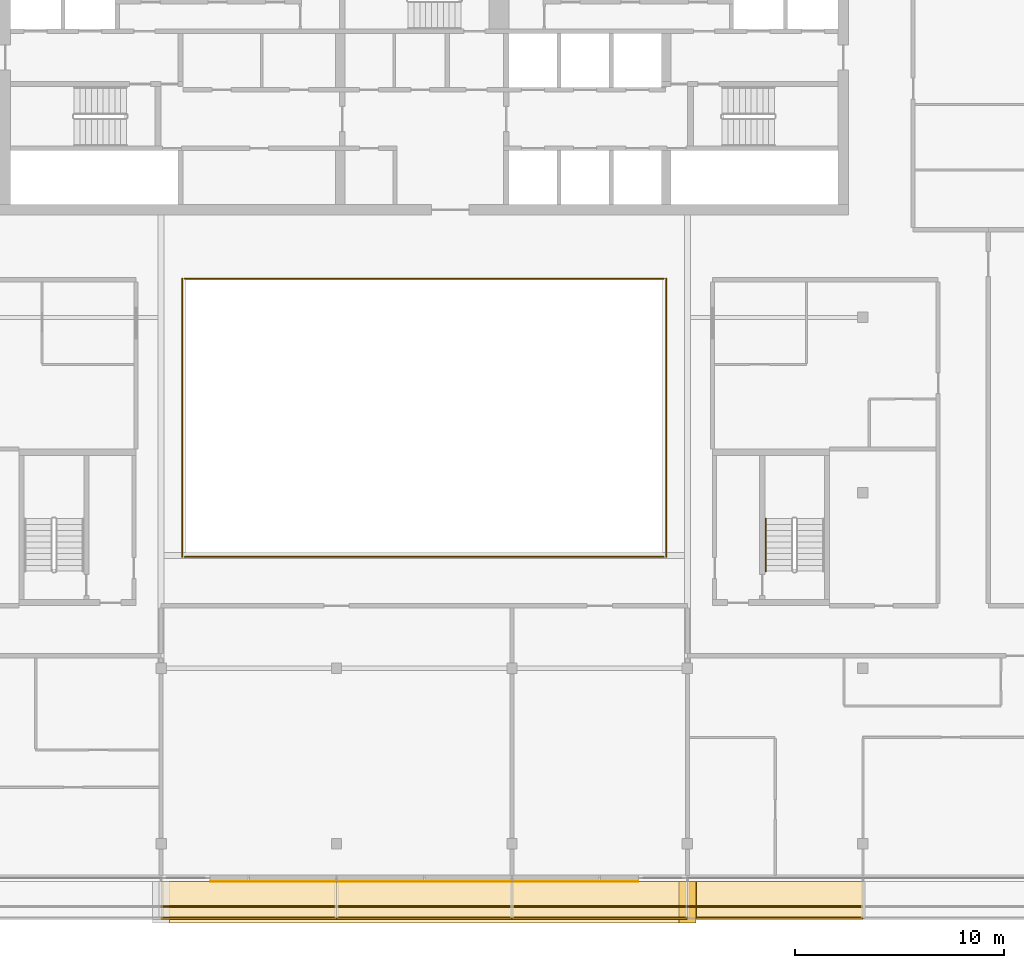
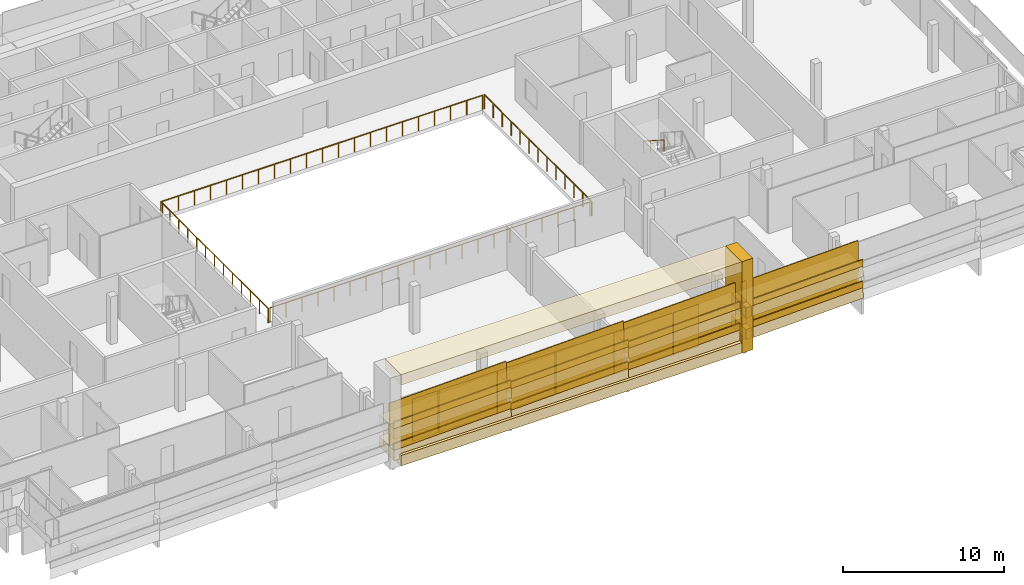
# One storey, part 26 of 33: 27 coverings, 15 railings.
"""IFC4 building model written with IfcOpenShell, lengths in metres."""

from ifc_helpers import new_model, si_unit, direction, frame, origin, origin_2d, place, context, subcontext, project, spatial, polyline, rectangle, circle, outline, extrude, material, layer, layer_set, type_object, element, save


model = new_model("IFC4")

# Units and contexts
model_context = context("Model", 3, precision=1e-05, world=origin(), true_north=direction((0.0, 1.0)))
body_context = subcontext(model_context, "Body", "Model", "MODEL_VIEW")
ifc_project = project(units=[si_unit("LENGTHUNIT", "METRE"), si_unit("AREAUNIT", "SQUARE_METRE"), si_unit("VOLUMEUNIT", "CUBIC_METRE"), si_unit("PLANEANGLEUNIT", "RADIAN"), si_unit("MASSUNIT", "GRAM", prefix="KILO")], contexts=[model_context])

# Site, building, storey
site_placement = place(None, origin())
site = spatial("IfcSite", under=ifc_project, at=site_placement, CompositionType="ELEMENT")
building_placement = place(site_placement, origin())
building = spatial("IfcBuilding", under=site, at=building_placement, Name="Saffron Gate Tower", CompositionType="ELEMENT")
storey_placement = place(building_placement, frame((0.0, 0.0, 263.550048828125)))
storey = spatial("IfcBuildingStorey", under=building, at=storey_placement, Name="L63", CompositionType="ELEMENT", Elevation=263.550048828125)

# Railings
ifc_material_1 = material(Name="Stainless steel and laminated glass", Category="steel")
railing_type_1 = type_object("IfcRailingType", Name="AG1 Atrium edge guard 1100", PredefinedType="GUARDRAIL", material=ifc_material_1)
railing_1_placement = place(storey_placement, frame((76.02001953125, 45.5400390625, 0.0)))
element("IfcRailing", 1, at=railing_1_placement, inside=storey, type_object=railing_type_1, Name="Guard E1-1", PredefinedType="GUARDRAIL", context=body_context, shape_type="SweptSolid", body=[
    extrude(circle(Radius=0.02392578125, at=origin_2d()), frame((0.0, 0.0, 1.076171875), z_axis=(0.0, 1.0, 0.0), x_axis=(-1.0, 0.0, 0.0)), (0.0, 0.0, 1.0), 13.320068359375),
    extrude(circle(Radius=0.02099609375, at=origin_2d()), origin(), (0.0, 0.0, 1.0), 1.052001953125),
    extrude(circle(Radius=0.02099609375, at=origin_2d()), frame((0.0, 1.110107421875, 0.0)), (0.0, 0.0, 1.0), 1.052001953125),
    extrude(circle(Radius=0.02099609375, at=origin_2d()), frame((0.0, 2.219970703125, 0.0)), (0.0, 0.0, 1.0), 1.052001953125),
    extrude(circle(Radius=0.02099609375, at=origin_2d()), frame((0.0, 3.330078125, 0.0)), (0.0, 0.0, 1.0), 1.052001953125),
    extrude(circle(Radius=0.02099609375, at=origin_2d()), frame((0.0, 4.43994140625, 0.0)), (0.0, 0.0, 1.0), 1.052001953125),
    extrude(circle(Radius=0.02099609375, at=origin_2d()), frame((0.0, 5.550048828125, 0.0)), (0.0, 0.0, 1.0), 1.052001953125),
    extrude(circle(Radius=0.02099609375, at=origin_2d()), frame((0.0, 6.66015625, 0.0)), (0.0, 0.0, 1.0), 1.052001953125),
    extrude(circle(Radius=0.02099609375, at=origin_2d()), frame((0.0, 7.77001953125, 0.0)), (0.0, 0.0, 1.0), 1.052001953125),
    extrude(circle(Radius=0.02099609375, at=origin_2d()), frame((0.0, 8.880126953125, 0.0)), (0.0, 0.0, 1.0), 1.052001953125),
    extrude(circle(Radius=0.02099609375, at=origin_2d()), frame((0.0, 9.989990234375, 0.0)), (0.0, 0.0, 1.0), 1.052001953125),
    extrude(circle(Radius=0.02099609375, at=origin_2d()), frame((0.0, 11.10009765625, 0.0)), (0.0, 0.0, 1.0), 1.052001953125),
    extrude(circle(Radius=0.02099609375, at=origin_2d()), frame((0.0, 12.2099609375, 0.0)), (0.0, 0.0, 1.0), 1.052001953125),
    extrude(circle(Radius=0.02099609375, at=origin_2d()), frame((0.0, 13.320068359375, 0.0)), (0.0, 0.0, 1.0), 1.052001953125),
])
railing_2_placement = place(storey_placement, frame((76.139892578125, 58.860107421875, 0.0)))
element("IfcRailing", 2, at=railing_2_placement, inside=storey, type_object=railing_type_1, Name="Guard E1-2", PredefinedType="GUARDRAIL", context=body_context, shape_type="SweptSolid", body=[
    extrude(circle(Radius=0.02392578125, at=origin_2d()), frame((0.0, 0.0, 1.076171875), z_axis=(1.0, 0.0, 0.0), x_axis=(0.0, 1.0, 0.0)), (0.0, 0.0, 1.0), 22.920166015625),
    extrude(circle(Radius=0.02099609375, at=origin_2d()), origin(), (0.0, 0.0, 1.0), 1.052001953125),
    extrude(circle(Radius=0.02099609375, at=origin_2d()), frame((1.14599609375, 0.0, 0.0)), (0.0, 0.0, 1.0), 1.052001953125),
    extrude(circle(Radius=0.02099609375, at=origin_2d()), frame((2.2919921875, 0.0, 0.0)), (0.0, 0.0, 1.0), 1.052001953125),
    extrude(circle(Radius=0.02099609375, at=origin_2d()), frame((3.43798828125, 0.0, 0.0)), (0.0, 0.0, 1.0), 1.052001953125),
    extrude(circle(Radius=0.02099609375, at=origin_2d()), frame((4.583984375, 0.0, 0.0)), (0.0, 0.0, 1.0), 1.052001953125),
    extrude(circle(Radius=0.02099609375, at=origin_2d()), frame((5.72998046875, 0.0, 0.0)), (0.0, 0.0, 1.0), 1.052001953125),
    extrude(circle(Radius=0.02099609375, at=origin_2d()), frame((6.8759765625, 0.0, 0.0)), (0.0, 0.0, 1.0), 1.052001953125),
    extrude(circle(Radius=0.02099609375, at=origin_2d()), frame((8.02197265625, 0.0, 0.0)), (0.0, 0.0, 1.0), 1.052001953125),
    extrude(circle(Radius=0.02099609375, at=origin_2d()), frame((9.16796875, 0.0, 0.0)), (0.0, 0.0, 1.0), 1.052001953125),
    extrude(circle(Radius=0.02099609375, at=origin_2d()), frame((10.31396484375, 0.0, 0.0)), (0.0, 0.0, 1.0), 1.052001953125),
    extrude(circle(Radius=0.02099609375, at=origin_2d()), frame((11.4599609375, 0.0, 0.0)), (0.0, 0.0, 1.0), 1.052001953125),
    extrude(circle(Radius=0.02099609375, at=origin_2d()), frame((12.606201171875, 0.0, 0.0)), (0.0, 0.0, 1.0), 1.052001953125),
    extrude(circle(Radius=0.02099609375, at=origin_2d()), frame((13.752197265625, 0.0, 0.0)), (0.0, 0.0, 1.0), 1.052001953125),
    extrude(circle(Radius=0.02099609375, at=origin_2d()), frame((14.898193359375, 0.0, 0.0)), (0.0, 0.0, 1.0), 1.052001953125),
    extrude(circle(Radius=0.02099609375, at=origin_2d()), frame((16.044189453125, 0.0, 0.0)), (0.0, 0.0, 1.0), 1.052001953125),
    extrude(circle(Radius=0.02099609375, at=origin_2d()), frame((17.190185546875, 0.0, 0.0)), (0.0, 0.0, 1.0), 1.052001953125),
    extrude(circle(Radius=0.02099609375, at=origin_2d()), frame((18.336181640625, 0.0, 0.0)), (0.0, 0.0, 1.0), 1.052001953125),
    extrude(circle(Radius=0.02099609375, at=origin_2d()), frame((19.482177734375, 0.0, 0.0)), (0.0, 0.0, 1.0), 1.052001953125),
    extrude(circle(Radius=0.02099609375, at=origin_2d()), frame((20.628173828125, 0.0, 0.0)), (0.0, 0.0, 1.0), 1.052001953125),
    extrude(circle(Radius=0.02099609375, at=origin_2d()), frame((21.774169921875, 0.0, 0.0)), (0.0, 0.0, 1.0), 1.052001953125),
    extrude(circle(Radius=0.02099609375, at=origin_2d()), frame((22.920166015625, 0.0, 0.0)), (0.0, 0.0, 1.0), 1.052001953125),
])
railing_3_placement = place(storey_placement, frame((99.179931640625, 58.860107421875, 0.0)))
element("IfcRailing", 3, at=railing_3_placement, inside=storey, type_object=railing_type_1, Name="Guard E1-3", PredefinedType="GUARDRAIL", context=body_context, shape_type="SweptSolid", body=[
    extrude(circle(Radius=0.02392578125, at=origin_2d()), frame((0.0, 0.0, 1.076171875), z_axis=(0.0, -1.0, 0.0), x_axis=(1.0, 0.0, 0.0)), (0.0, 0.0, 1.0), 13.320068359375),
    extrude(circle(Radius=0.02099609375, at=origin_2d()), origin(), (0.0, 0.0, 1.0), 1.052001953125),
    extrude(circle(Radius=0.02099609375, at=origin_2d()), frame((0.0, -1.110107421875, 0.0)), (0.0, 0.0, 1.0), 1.052001953125),
    extrude(circle(Radius=0.02099609375, at=origin_2d()), frame((0.0, -2.219970703125, 0.0)), (0.0, 0.0, 1.0), 1.052001953125),
    extrude(circle(Radius=0.02099609375, at=origin_2d()), frame((0.0, -3.330078125, 0.0)), (0.0, 0.0, 1.0), 1.052001953125),
    extrude(circle(Radius=0.02099609375, at=origin_2d()), frame((0.0, -4.43994140625, 0.0)), (0.0, 0.0, 1.0), 1.052001953125),
    extrude(circle(Radius=0.02099609375, at=origin_2d()), frame((0.0, -5.550048828125, 0.0)), (0.0, 0.0, 1.0), 1.052001953125),
    extrude(circle(Radius=0.02099609375, at=origin_2d()), frame((0.0, -6.66015625, 0.0)), (0.0, 0.0, 1.0), 1.052001953125),
    extrude(circle(Radius=0.02099609375, at=origin_2d()), frame((0.0, -7.77001953125, 0.0)), (0.0, 0.0, 1.0), 1.052001953125),
    extrude(circle(Radius=0.02099609375, at=origin_2d()), frame((0.0, -8.880126953125, 0.0)), (0.0, 0.0, 1.0), 1.052001953125),
    extrude(circle(Radius=0.02099609375, at=origin_2d()), frame((0.0, -9.989990234375, 0.0)), (0.0, 0.0, 1.0), 1.052001953125),
    extrude(circle(Radius=0.02099609375, at=origin_2d()), frame((0.0, -11.10009765625, 0.0)), (0.0, 0.0, 1.0), 1.052001953125),
    extrude(circle(Radius=0.02099609375, at=origin_2d()), frame((0.0, -12.2099609375, 0.0)), (0.0, 0.0, 1.0), 1.052001953125),
    extrude(circle(Radius=0.02099609375, at=origin_2d()), frame((0.0, -13.320068359375, 0.0)), (0.0, 0.0, 1.0), 1.052001953125),
])
railing_4_placement = place(storey_placement, frame((99.06005859375, 45.5400390625, 0.0)))
element("IfcRailing", 4, at=railing_4_placement, inside=storey, type_object=railing_type_1, Name="Guard E1-4", PredefinedType="GUARDRAIL", context=body_context, shape_type="SweptSolid", body=[
    extrude(circle(Radius=0.02392578125, at=origin_2d()), frame((0.0, 0.0, 1.076171875), z_axis=(-1.0, 0.0, 0.0), x_axis=(0.0, -1.0, 0.0)), (0.0, 0.0, 1.0), 22.920166015625),
    extrude(circle(Radius=0.02099609375, at=origin_2d()), origin(), (0.0, 0.0, 1.0), 1.052001953125),
    extrude(circle(Radius=0.02099609375, at=origin_2d()), frame((-1.14599609375, 0.0, 0.0)), (0.0, 0.0, 1.0), 1.052001953125),
    extrude(circle(Radius=0.02099609375, at=origin_2d()), frame((-2.2919921875, 0.0, 0.0)), (0.0, 0.0, 1.0), 1.052001953125),
    extrude(circle(Radius=0.02099609375, at=origin_2d()), frame((-3.43798828125, 0.0, 0.0)), (0.0, 0.0, 1.0), 1.052001953125),
    extrude(circle(Radius=0.02099609375, at=origin_2d()), frame((-4.583984375, 0.0, 0.0)), (0.0, 0.0, 1.0), 1.052001953125),
    extrude(circle(Radius=0.02099609375, at=origin_2d()), frame((-5.72998046875, 0.0, 0.0)), (0.0, 0.0, 1.0), 1.052001953125),
    extrude(circle(Radius=0.02099609375, at=origin_2d()), frame((-6.8759765625, 0.0, 0.0)), (0.0, 0.0, 1.0), 1.052001953125),
    extrude(circle(Radius=0.02099609375, at=origin_2d()), frame((-8.02197265625, 0.0, 0.0)), (0.0, 0.0, 1.0), 1.052001953125),
    extrude(circle(Radius=0.02099609375, at=origin_2d()), frame((-9.16796875, 0.0, 0.0)), (0.0, 0.0, 1.0), 1.052001953125),
    extrude(circle(Radius=0.02099609375, at=origin_2d()), frame((-10.31396484375, 0.0, 0.0)), (0.0, 0.0, 1.0), 1.052001953125),
    extrude(circle(Radius=0.02099609375, at=origin_2d()), frame((-11.4599609375, 0.0, 0.0)), (0.0, 0.0, 1.0), 1.052001953125),
    extrude(circle(Radius=0.02099609375, at=origin_2d()), frame((-12.606201171875, 0.0, 0.0)), (0.0, 0.0, 1.0), 1.052001953125),
    extrude(circle(Radius=0.02099609375, at=origin_2d()), frame((-13.752197265625, 0.0, 0.0)), (0.0, 0.0, 1.0), 1.052001953125),
    extrude(circle(Radius=0.02099609375, at=origin_2d()), frame((-14.898193359375, 0.0, 0.0)), (0.0, 0.0, 1.0), 1.052001953125),
    extrude(circle(Radius=0.02099609375, at=origin_2d()), frame((-16.044189453125, 0.0, 0.0)), (0.0, 0.0, 1.0), 1.052001953125),
    extrude(circle(Radius=0.02099609375, at=origin_2d()), frame((-17.190185546875, 0.0, 0.0)), (0.0, 0.0, 1.0), 1.052001953125),
    extrude(circle(Radius=0.02099609375, at=origin_2d()), frame((-18.336181640625, 0.0, 0.0)), (0.0, 0.0, 1.0), 1.052001953125),
    extrude(circle(Radius=0.02099609375, at=origin_2d()), frame((-19.482177734375, 0.0, 0.0)), (0.0, 0.0, 1.0), 1.052001953125),
    extrude(circle(Radius=0.02099609375, at=origin_2d()), frame((-20.628173828125, 0.0, 0.0)), (0.0, 0.0, 1.0), 1.052001953125),
    extrude(circle(Radius=0.02099609375, at=origin_2d()), frame((-21.774169921875, 0.0, 0.0)), (0.0, 0.0, 1.0), 1.052001953125),
    extrude(circle(Radius=0.02099609375, at=origin_2d()), frame((-22.920166015625, 0.0, 0.0)), (0.0, 0.0, 1.0), 1.052001953125),
])

# Coverings
ifc_material_2 = material(Name="Ceramic-printed bronze insulated panel")
ifc_layer_1 = layer(ifc_material_2, 0.0400390625)
ifc_layer_set_1 = layer_set([ifc_layer_1], Name="CLDA ceramic-printed bay cladding 40")
covering_type_1 = type_object("IfcCoveringType", Name="CLDA ceramic-printed bay cladding 40", PredefinedType="CLADDING", material=ifc_layer_set_1)
covering_1_placement = place(storey_placement, origin())
element("IfcCovering", 5, at=covering_1_placement, inside=storey, type_object=covering_type_1, Name="CLADDING bay panel in front of the arch", PredefinedType="CLADDING", context=body_context, shape_type="SweptSolid", body=[
    extrude(outline(polyline([(77.350830078125, 29.9599609375), (79.169921875, 29.9599609375), (79.169921875, 30.0), (77.350830078125, 30.0), (77.350830078125, 29.9599609375)])), origin(), (0.0, 0.0, 1.0), 3.199951171875),
])
covering_2_placement = place(storey_placement, origin())
element("IfcCovering", 6, at=covering_2_placement, inside=storey, type_object=covering_type_1, Name="CLADDING bay panel in front of the arch", PredefinedType="CLADDING", context=body_context, shape_type="SweptSolid", body=[
    extrude(outline(polyline([(79.22998046875, 29.9599609375), (83.3701171875, 29.9599609375), (83.3701171875, 30.0), (79.22998046875, 30.0), (79.22998046875, 29.9599609375)])), origin(), (0.0, 0.0, 1.0), 3.199951171875),
])
covering_3_placement = place(storey_placement, origin())
element("IfcCovering", 7, at=covering_3_placement, inside=storey, type_object=covering_type_1, Name="CLADDING bay panel in front of the arch", PredefinedType="CLADDING", context=body_context, shape_type="SweptSolid", body=[
    extrude(outline(polyline([(83.429931640625, 29.9599609375), (87.570068359375, 29.9599609375), (87.570068359375, 30.0), (83.429931640625, 30.0), (83.429931640625, 29.9599609375)])), origin(), (0.0, 0.0, 1.0), 3.199951171875),
])
covering_4_placement = place(storey_placement, origin())
element("IfcCovering", 8, at=covering_4_placement, inside=storey, type_object=covering_type_1, Name="CLADDING bay panel in front of the arch", PredefinedType="CLADDING", context=body_context, shape_type="SweptSolid", body=[
    extrude(outline(polyline([(87.6298828125, 29.9599609375), (91.77001953125, 29.9599609375), (91.77001953125, 30.0), (87.6298828125, 30.0), (87.6298828125, 29.9599609375)])), origin(), (0.0, 0.0, 1.0), 3.199951171875),
])
covering_5_placement = place(storey_placement, origin())
element("IfcCovering", 9, at=covering_5_placement, inside=storey, type_object=covering_type_1, Name="CLADDING bay panel in front of the arch", PredefinedType="CLADDING", context=body_context, shape_type="SweptSolid", body=[
    extrude(outline(polyline([(91.830078125, 29.9599609375), (95.969970703125, 29.9599609375), (95.969970703125, 30.0), (91.830078125, 30.0), (91.830078125, 29.9599609375)])), origin(), (0.0, 0.0, 1.0), 3.199951171875),
])
covering_6_placement = place(storey_placement, origin())
element("IfcCovering", 10, at=covering_6_placement, inside=storey, type_object=covering_type_1, Name="CLADDING bay panel in front of the arch", PredefinedType="CLADDING", context=body_context, shape_type="SweptSolid", body=[
    extrude(outline(polyline([(96.030029296875, 29.9599609375), (97.84912109375, 29.9599609375), (97.84912109375, 30.0), (96.030029296875, 30.0), (96.030029296875, 29.9599609375)])), origin(), (0.0, 0.0, 1.0), 3.199951171875),
])

# Railing
ifc_material_3 = material(Name="Stainless steel", Category="steel")
railing_type_2 = type_object("IfcRailingType", Name="CR2 Stair handrail 900", PredefinedType="HANDRAIL", material=ifc_material_3)
railing_5_placement = place(storey_placement, frame((103.949951171875, 47.3701171875, 1.97998046875)))
element("IfcRailing", 11, at=railing_5_placement, inside=storey, type_object=railing_type_2, Name="L63 ST-E stair handrail 2", PredefinedType="HANDRAIL", context=body_context, shape_type="SweptSolid", body=[
    extrude(circle(Radius=0.02392578125, at=origin_2d()), frame((0.0, 0.0, 0.8759765625), z_axis=(0.0, -0.841199657755, 0.540724639528), x_axis=(1.0, 0.0, 0.0)), (0.0, 0.0, 1.0), 2.995849609375),
    extrude(circle(Radius=0.02099609375, at=origin_2d()), origin(), (0.0, 0.0, 1.0), 0.851806640625),
    extrude(circle(Radius=0.02099609375, at=origin_2d()), frame((0.0, -0.840087890625, 0.5400390625)), (0.0, 0.0, 1.0), 0.851806640625),
    extrude(circle(Radius=0.02099609375, at=origin_2d()), frame((0.0, -1.679931640625, 1.079833984375)), (0.0, 0.0, 1.0), 0.851806640625),
    extrude(circle(Radius=0.02099609375, at=origin_2d()), frame((0.0, -2.52001953125, 1.619873046875)), (0.0, 0.0, 1.0), 0.851806640625),
])

# Coverings
ifc_layer_2 = layer(ifc_material_2, 0.800048828125)
ifc_layer_set_2 = layer_set([ifc_layer_2], Name="FN1 atrium fin")
covering_type_2 = type_object("IfcCoveringType", Name="FN1 atrium fin", PredefinedType="CLADDING", material=ifc_layer_set_2)
covering_7_placement = place(storey_placement, origin())
element("IfcCovering", 12, at=covering_7_placement, inside=storey, type_object=covering_type_2, Name="CLADDING atrium fin", PredefinedType="CLADDING", context=body_context, shape_type="SweptSolid", body=[
    extrude(outline(polyline([(99.800048828125, 30.0), (100.60009765625, 30.0), (100.60009765625, 28.0), (99.800048828125, 28.0), (99.800048828125, 30.0)])), origin(), (0.0, 0.0, 1.0), 6.919921875),
])
for number, where, name in (
    (13, (0.0, 0.0, 0.0), "CLADDING atrium lintel fin"),
    (14, (0.0, 0.0, 6.119873046875), "CLADDING atrium lintel fin"),
):
    element("IfcCovering", number, at=place(storey_placement, frame(where)), inside=storey, type_object=covering_type_2, Name=name, PredefinedType="CLADDING", context=body_context, shape_type="SweptSolid", body=[
        extrude(outline(polyline([(75.39990234375, 30.0), (99.800048828125, 30.0), (99.800048828125, 28.0), (75.39990234375, 28.0), (75.39990234375, 30.0)])), origin(), (0.0, 0.0, 1.0), 0.800048828125),
    ])
ifc_material_4 = material(Name="Timber, thermally modified ash", Category="wood")
ifc_layer_3 = layer(ifc_material_4, 0.800048828125)
ifc_layer_set_3 = layer_set([ifc_layer_3], Name="LD1 ledge timber")
covering_type_3 = type_object("IfcCoveringType", Name="LD1 ledge timber", PredefinedType="CLADDING", material=ifc_layer_set_3)
covering_8_placement = place(storey_placement, frame((75.0, 30.0, 1.197509765625), z_axis=(-0.028791175352, 0.0, 0.999585448184), x_axis=(0.999585448184, 0.0, 0.028791175352)))
element("IfcCovering", 15, at=covering_8_placement, inside=storey, type_object=covering_type_3, Name="LEDGE", PredefinedType="CLADDING", context=body_context, shape_type="SweptSolid", body=[
    extrude(outline(polyline([(0.0, 0.0), (8.403385982666892, 0.0), (8.403385982666892, -1.800048828125), (0.0, -1.800048828125), (0.0, 0.0)])), origin(), (0.0, 0.0, -1.0), 0.800048828125),
])
covering_9_placement = place(storey_placement, frame((83.39990234375, 30.0, 1.30712890625), z_axis=(-0.028790339263, 0.0, 0.999585472266), x_axis=(0.999585472266, 0.0, 0.028790339263)))
element("IfcCovering", 16, at=covering_9_placement, inside=storey, type_object=covering_type_3, Name="LEDGE", PredefinedType="CLADDING", context=body_context, shape_type="SweptSolid", body=[
    extrude(outline(polyline([(0.0, 0.0), (8.403630022085892, 0.0), (8.403630022085892, -1.800048828125), (0.0, -1.800048828125), (0.0, 0.0)])), origin(), (0.0, 0.0, -1.0), 0.800048828125),
])
covering_10_placement = place(storey_placement, frame((91.800048828125, 30.0, 1.416748046875), z_axis=(-0.028820203882, 0.0, 0.99958461165), x_axis=(0.99958461165, 0.0, 0.028820203882)))
element("IfcCovering", 17, at=covering_10_placement, inside=storey, type_object=covering_type_3, Name="LEDGE", PredefinedType="CLADDING", context=body_context, shape_type="SweptSolid", body=[
    extrude(outline(polyline([(0.0, 0.0), (8.40339301530596, 0.0), (8.40339301530596, -1.800048828125), (0.0, -1.800048828125), (0.0, 0.0)])), origin(), (0.0, 0.0, -1.0), 0.800048828125),
])
covering_11_placement = place(storey_placement, frame((100.199951171875, 30.0, 1.526611328125), z_axis=(-0.028664238881, 0.0, 0.999589096284), x_axis=(0.999589096284, 0.0, 0.028664238881)))
element("IfcCovering", 18, at=covering_11_placement, inside=storey, type_object=covering_type_3, Name="LEDGE", PredefinedType="CLADDING", context=body_context, shape_type="SweptSolid", body=[
    extrude(outline(polyline([(0.0, 0.0), (0.40031097364171886, 0.0), (0.40031097364171886, -1.8000488281250004), (0.0, -1.8000488281250004), (0.0, 0.0)])), origin(), (0.0, 0.0, -1.0), 0.800048828125),
])
covering_12_placement = place(storey_placement, frame((100.60009765625, 30.0, 1.53173828125), z_axis=(-0.028796646555, 0.0, 0.999585290582), x_axis=(0.999585290582, 0.0, 0.028796646555)))
element("IfcCovering", 19, at=covering_12_placement, inside=storey, type_object=covering_type_3, Name="LEDGE", PredefinedType="CLADDING", context=body_context, shape_type="SweptSolid", body=[
    extrude(outline(polyline([(0.0, 0.0), (8.003319051788862, 0.0), (8.003319051788862, -1.800048828125), (0.0, -1.800048828125), (0.0, 0.0)])), origin(), (0.0, 0.0, -1.0), 0.800048828125),
])
covering_13_placement = place(storey_placement, frame((75.0, 30.0, 2.82666015625), z_axis=(-0.028791175352, 0.0, 0.999585448184), x_axis=(0.999585448184, 0.0, 0.028791175352)))
element("IfcCovering", 20, at=covering_13_placement, inside=storey, type_object=covering_type_3, Name="LEDGE", PredefinedType="CLADDING", context=body_context, shape_type="SweptSolid", body=[
    extrude(outline(polyline([(0.0, 0.0), (8.403385982666892, 0.0), (8.403385982666892, -1.800048828125), (0.0, -1.800048828125), (0.0, 0.0)])), origin(), (0.0, 0.0, -1.0), 0.800048828125),
])
covering_14_placement = place(storey_placement, frame((83.39990234375, 30.0, 2.936279296875), z_axis=(-0.028790339263, 0.0, 0.999585472266), x_axis=(0.999585472266, 0.0, 0.028790339263)))
element("IfcCovering", 21, at=covering_14_placement, inside=storey, type_object=covering_type_3, Name="LEDGE", PredefinedType="CLADDING", context=body_context, shape_type="SweptSolid", body=[
    extrude(outline(polyline([(0.0, 0.0), (8.403630022085892, 0.0), (8.403630022085892, -1.800048828125), (0.0, -1.800048828125), (0.0, 0.0)])), origin(), (0.0, 0.0, -1.0), 0.800048828125),
])
covering_15_placement = place(storey_placement, frame((91.800048828125, 30.0, 3.0458984375), z_axis=(-0.028791175352, 0.0, 0.999585448184), x_axis=(0.999585448184, 0.0, 0.028791175352)))
element("IfcCovering", 22, at=covering_15_placement, inside=storey, type_object=covering_type_3, Name="LEDGE", PredefinedType="CLADDING", context=body_context, shape_type="SweptSolid", body=[
    extrude(outline(polyline([(0.0, 0.0), (8.403385982666892, 0.0), (8.403385982666892, -1.800048828125), (0.0, -1.800048828125), (0.0, 0.0)])), origin(), (0.0, 0.0, -1.0), 0.800048828125),
])
covering_16_placement = place(storey_placement, frame((100.199951171875, 30.0, 3.155517578125), z_axis=(-0.028664238881, 0.0, 0.999589096284), x_axis=(0.999589096284, 0.0, 0.028664238881)))
element("IfcCovering", 23, at=covering_16_placement, inside=storey, type_object=covering_type_3, Name="LEDGE", PredefinedType="CLADDING", context=body_context, shape_type="SweptSolid", body=[
    extrude(outline(polyline([(0.0, 0.0), (0.40031097364171886, 0.0), (0.40031097364171886, -1.8000488281250004), (0.0, -1.8000488281250004), (0.0, 0.0)])), origin(), (0.0, 0.0, -1.0), 0.800048828125),
])
covering_17_placement = place(storey_placement, frame((100.60009765625, 30.0, 3.16064453125), z_axis=(-0.028796646555, 0.0, 0.999585290582), x_axis=(0.999585290582, 0.0, 0.028796646555)))
element("IfcCovering", 24, at=covering_17_placement, inside=storey, type_object=covering_type_3, Name="LEDGE", PredefinedType="CLADDING", context=body_context, shape_type="SweptSolid", body=[
    extrude(outline(polyline([(0.0, 0.0), (8.003319051788862, 0.0), (8.003319051788862, -1.800048828125), (0.0, -1.800048828125), (0.0, 0.0)])), origin(), (0.0, 0.0, -1.0), 0.800048828125),
])
ifc_layer_4 = layer(ifc_material_4, 0.080078125)
ifc_layer_set_4 = layer_set([ifc_layer_4], Name="LD2 ledge planter trough")
covering_type_4 = type_object("IfcCoveringType", Name="LD2 ledge planter trough", PredefinedType="CLADDING", material=ifc_layer_set_4)
covering_18_placement = place(storey_placement, frame((75.0, 28.199951171875, 1.197509765625), z_axis=(0.0, -1.0, 0.0), x_axis=(0.999585448184, 0.0, 0.028791175352)))
element("IfcCovering", 25, at=covering_18_placement, inside=storey, type_object=covering_type_4, Name="LEDGE planter trough", PredefinedType="CLADDING", context=body_context, shape_type="SweptSolid", body=[
    extrude(outline(polyline([(0.0, 0.0), (8.403385982666892, 0.0), (8.417781570342743, 0.49979272409216496), (0.014395587675851172, 0.4997927240921649), (0.0, 0.0)])), origin(), (0.0, 0.0, -1.0), 0.080078125),
])
covering_19_placement = place(storey_placement, frame((83.39990234375, 28.199951171875, 1.30712890625), z_axis=(0.0, -1.0, 0.0), x_axis=(0.999585472266, 0.0, 0.028790339263)))
element("IfcCovering", 26, at=covering_19_placement, inside=storey, type_object=covering_type_4, Name="LEDGE planter trough", PredefinedType="CLADDING", context=body_context, shape_type="SweptSolid", body=[
    extrude(outline(polyline([(0.0, 0.0), (8.403630022085892, 0.0), (8.418025191717298, 0.4997927361329725), (0.014395169631405694, 0.4997927361329725), (0.0, 0.0)])), origin(), (0.0, 0.0, -1.0), 0.080078125),
])
covering_20_placement = place(storey_placement, frame((91.800048828125, 28.199951171875, 1.416748046875), z_axis=(0.0, -1.0, 0.0), x_axis=(0.99958461165, 0.0, 0.028820203882)))
element("IfcCovering", 27, at=covering_20_placement, inside=storey, type_object=covering_type_4, Name="LEDGE planter trough", PredefinedType="CLADDING", context=body_context, shape_type="SweptSolid", body=[
    extrude(outline(polyline([(0.0, 0.0), (8.40339301530596, 0.0), (8.41780311724686, 0.49979230582518264), (0.014410101940899296, 0.49979230582518264), (0.0, 0.0)])), origin(), (0.0, 0.0, -1.0), 0.080078125),
])
covering_21_placement = place(storey_placement, frame((100.60009765625, 28.199951171875, 1.53173828125), z_axis=(0.0, -1.0, 0.0), x_axis=(0.999585290582, 0.0, 0.028796646555)))
element("IfcCovering", 28, at=covering_21_placement, inside=storey, type_object=covering_type_4, Name="LEDGE planter trough", PredefinedType="CLADDING", context=body_context, shape_type="SweptSolid", body=[
    extrude(outline(polyline([(0.0, 0.0), (8.003319051788862, 0.0), (8.017717375066283, 0.4997926452908234), (0.014398323277421184, 0.49979264529082346), (0.0, 0.0)])), origin(), (0.0, 0.0, -1.0), 0.080078125),
])
covering_22_placement = place(storey_placement, frame((75.0, 28.199951171875, 2.82666015625), z_axis=(0.0, -1.0, 0.0), x_axis=(0.999585448184, 0.0, 0.028791175352)))
element("IfcCovering", 29, at=covering_22_placement, inside=storey, type_object=covering_type_4, Name="LEDGE planter trough", PredefinedType="CLADDING", context=body_context, shape_type="SweptSolid", body=[
    extrude(outline(polyline([(0.0, 0.0), (8.403385982666892, 0.0), (8.417781570342743, 0.49979272409216496), (0.014395587675851172, 0.4997927240921649), (0.0, 0.0)])), origin(), (0.0, 0.0, -1.0), 0.080078125),
])
covering_23_placement = place(storey_placement, frame((83.39990234375, 28.199951171875, 2.936279296875), z_axis=(0.0, -1.0, 0.0), x_axis=(0.999585472266, 0.0, 0.028790339263)))
element("IfcCovering", 30, at=covering_23_placement, inside=storey, type_object=covering_type_4, Name="LEDGE planter trough", PredefinedType="CLADDING", context=body_context, shape_type="SweptSolid", body=[
    extrude(outline(polyline([(0.0, 0.0), (8.403630022085892, 0.0), (8.418025191717298, 0.4997927361329725), (0.014395169631405694, 0.4997927361329725), (0.0, 0.0)])), origin(), (0.0, 0.0, -1.0), 0.080078125),
])
covering_24_placement = place(storey_placement, frame((91.800048828125, 28.199951171875, 3.0458984375), z_axis=(0.0, -1.0, 0.0), x_axis=(0.999585448184, 0.0, 0.028791175352)))
element("IfcCovering", 31, at=covering_24_placement, inside=storey, type_object=covering_type_4, Name="LEDGE planter trough", PredefinedType="CLADDING", context=body_context, shape_type="SweptSolid", body=[
    extrude(outline(polyline([(0.0, 0.0), (8.403385982666892, 0.0), (8.417781570342743, 0.49979272409216496), (0.014395587675851172, 0.4997927240921649), (0.0, 0.0)])), origin(), (0.0, 0.0, -1.0), 0.080078125),
])
covering_25_placement = place(storey_placement, frame((100.60009765625, 28.199951171875, 3.16064453125), z_axis=(0.0, -1.0, 0.0), x_axis=(0.999585290582, 0.0, 0.028796646555)))
element("IfcCovering", 32, at=covering_25_placement, inside=storey, type_object=covering_type_4, Name="LEDGE planter trough", PredefinedType="CLADDING", context=body_context, shape_type="SweptSolid", body=[
    extrude(outline(polyline([(0.0, 0.0), (8.003319051788862, 0.0), (8.017717375066283, 0.4997926452908234), (0.014398323277421184, 0.49979264529082346), (0.0, 0.0)])), origin(), (0.0, 0.0, -1.0), 0.080078125),
])

# Railings
railing_type_3 = type_object("IfcRailingType", Name="LG1 ledge balustrade", PredefinedType="BALUSTRADE", material=ifc_material_4)
railing_6_placement = place(storey_placement, frame((75.0, 28.800048828125, 1.197509765625)))
element("IfcRailing", 33, at=railing_6_placement, inside=storey, type_object=railing_type_3, Name="LEDGE BALUSTRADE", PredefinedType="BALUSTRADE", context=body_context, shape_type="SweptSolid", body=[
    extrude(rectangle(XDim=0.06005859375, YDim=1.60009765625, at=origin_2d()), frame((0.0, 0.0, 0.800048828125), z_axis=(0.999585448184, 0.0, 0.028791175352), x_axis=(0.0, 1.0, 0.0)), (0.0, 0.0, 1.0), 8.4033203125),
])
railing_7_placement = place(storey_placement, frame((83.39990234375, 28.800048828125, 1.30712890625)))
element("IfcRailing", 34, at=railing_7_placement, inside=storey, type_object=railing_type_3, Name="LEDGE BALUSTRADE", PredefinedType="BALUSTRADE", context=body_context, shape_type="SweptSolid", body=[
    extrude(rectangle(XDim=0.06005859375, YDim=1.60009765625, at=origin_2d()), frame((0.0, 0.0, 0.800048828125), z_axis=(0.999585472266, 0.0, 0.028790339263), x_axis=(0.0, 1.0, 0.0)), (0.0, 0.0, 1.0), 8.403564453125),
])
railing_8_placement = place(storey_placement, frame((91.800048828125, 28.800048828125, 1.416748046875)))
element("IfcRailing", 35, at=railing_8_placement, inside=storey, type_object=railing_type_3, Name="LEDGE BALUSTRADE", PredefinedType="BALUSTRADE", context=body_context, shape_type="SweptSolid", body=[
    extrude(rectangle(XDim=0.06005859375, YDim=1.60009765625, at=origin_2d()), frame((0.0, 0.0, 0.800048828125), z_axis=(0.99958461165, 0.0, 0.028820203882), x_axis=(0.0, 1.0, 0.0)), (0.0, 0.0, 1.0), 8.4033203125),
])
railing_9_placement = place(storey_placement, frame((100.199951171875, 28.800048828125, 1.526611328125)))
element("IfcRailing", 36, at=railing_9_placement, inside=storey, type_object=railing_type_3, Name="LEDGE BALUSTRADE", PredefinedType="BALUSTRADE", context=body_context, shape_type="SweptSolid", body=[
    extrude(rectangle(XDim=0.06005859375, YDim=1.60009765625, at=origin_2d()), frame((0.0, 0.0, 0.800048828125), z_axis=(0.999589096284, 0.0, 0.028664238881), x_axis=(0.0, 1.0, 0.0)), (0.0, 0.0, 1.0), 0.400390625),
])
railing_10_placement = place(storey_placement, frame((100.60009765625, 28.800048828125, 1.53173828125)))
element("IfcRailing", 37, at=railing_10_placement, inside=storey, type_object=railing_type_3, Name="LEDGE BALUSTRADE", PredefinedType="BALUSTRADE", context=body_context, shape_type="SweptSolid", body=[
    extrude(rectangle(XDim=0.06005859375, YDim=1.60009765625, at=origin_2d()), frame((0.0, 0.0, 0.800048828125), z_axis=(0.999585290582, 0.0, 0.028796646555), x_axis=(0.0, 1.0, 0.0)), (0.0, 0.0, 1.0), 8.00341796875),
])
railing_11_placement = place(storey_placement, frame((75.0, 28.800048828125, 2.82666015625)))
element("IfcRailing", 38, at=railing_11_placement, inside=storey, type_object=railing_type_3, Name="LEDGE BALUSTRADE", PredefinedType="BALUSTRADE", context=body_context, shape_type="SweptSolid", body=[
    extrude(rectangle(XDim=0.06005859375, YDim=1.60009765625, at=origin_2d()), frame((0.0, 0.0, 0.800048828125), z_axis=(0.999585448184, 0.0, 0.028791175352), x_axis=(0.0, 1.0, 0.0)), (0.0, 0.0, 1.0), 8.4033203125),
])
railing_12_placement = place(storey_placement, frame((83.39990234375, 28.800048828125, 2.936279296875)))
element("IfcRailing", 39, at=railing_12_placement, inside=storey, type_object=railing_type_3, Name="LEDGE BALUSTRADE", PredefinedType="BALUSTRADE", context=body_context, shape_type="SweptSolid", body=[
    extrude(rectangle(XDim=0.06005859375, YDim=1.60009765625, at=origin_2d()), frame((0.0, 0.0, 0.800048828125), z_axis=(0.999585472266, 0.0, 0.028790339263), x_axis=(0.0, 1.0, 0.0)), (0.0, 0.0, 1.0), 8.403564453125),
])
railing_13_placement = place(storey_placement, frame((91.800048828125, 28.800048828125, 3.0458984375)))
element("IfcRailing", 40, at=railing_13_placement, inside=storey, type_object=railing_type_3, Name="LEDGE BALUSTRADE", PredefinedType="BALUSTRADE", context=body_context, shape_type="SweptSolid", body=[
    extrude(rectangle(XDim=0.06005859375, YDim=1.60009765625, at=origin_2d()), frame((0.0, 0.0, 0.800048828125), z_axis=(0.999585448184, 0.0, 0.028791175352), x_axis=(0.0, 1.0, 0.0)), (0.0, 0.0, 1.0), 8.4033203125),
])
railing_14_placement = place(storey_placement, frame((100.199951171875, 28.800048828125, 3.155517578125)))
element("IfcRailing", 41, at=railing_14_placement, inside=storey, type_object=railing_type_3, Name="LEDGE BALUSTRADE", PredefinedType="BALUSTRADE", context=body_context, shape_type="SweptSolid", body=[
    extrude(rectangle(XDim=0.06005859375, YDim=1.60009765625, at=origin_2d()), frame((0.0, 0.0, 0.800048828125), z_axis=(0.999589096284, 0.0, 0.028664238881), x_axis=(0.0, 1.0, 0.0)), (0.0, 0.0, 1.0), 0.400390625),
])
railing_15_placement = place(storey_placement, frame((100.60009765625, 28.800048828125, 3.16064453125)))
element("IfcRailing", 42, at=railing_15_placement, inside=storey, type_object=railing_type_3, Name="LEDGE BALUSTRADE", PredefinedType="BALUSTRADE", context=body_context, shape_type="SweptSolid", body=[
    extrude(rectangle(XDim=0.06005859375, YDim=1.60009765625, at=origin_2d()), frame((0.0, 0.0, 0.800048828125), z_axis=(0.999585290582, 0.0, 0.028796646555), x_axis=(0.0, 1.0, 0.0)), (0.0, 0.0, 1.0), 8.00341796875),
])

save(model, "model.ifc")
